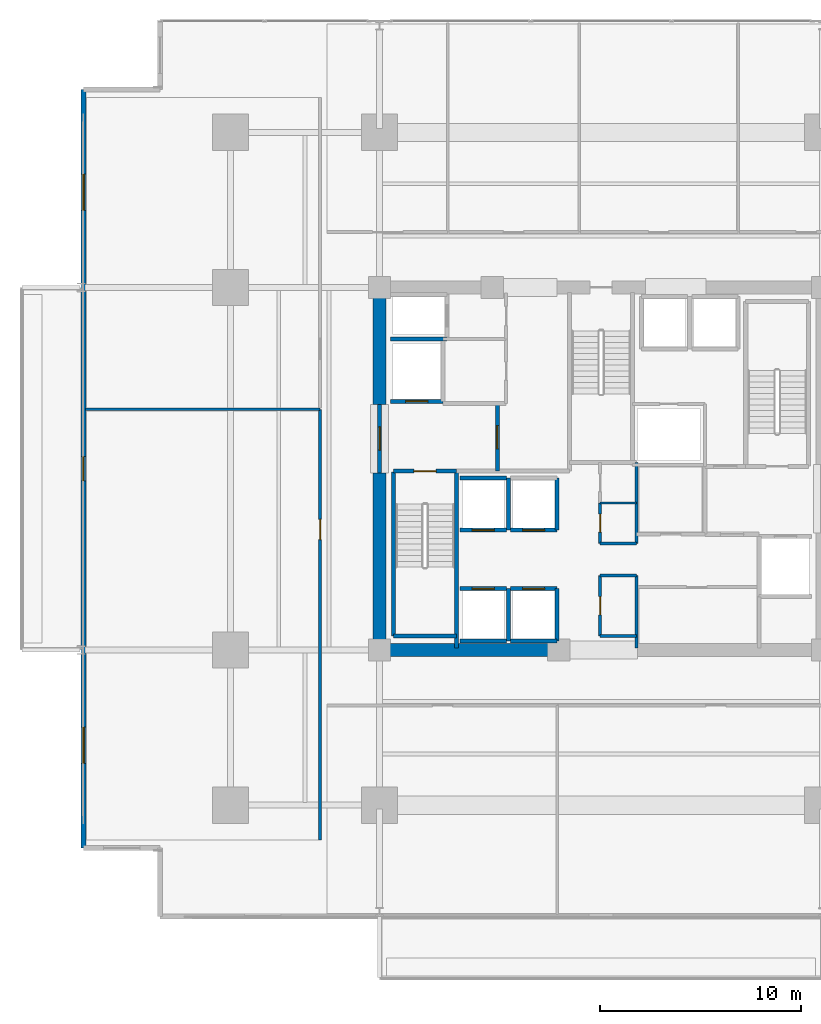
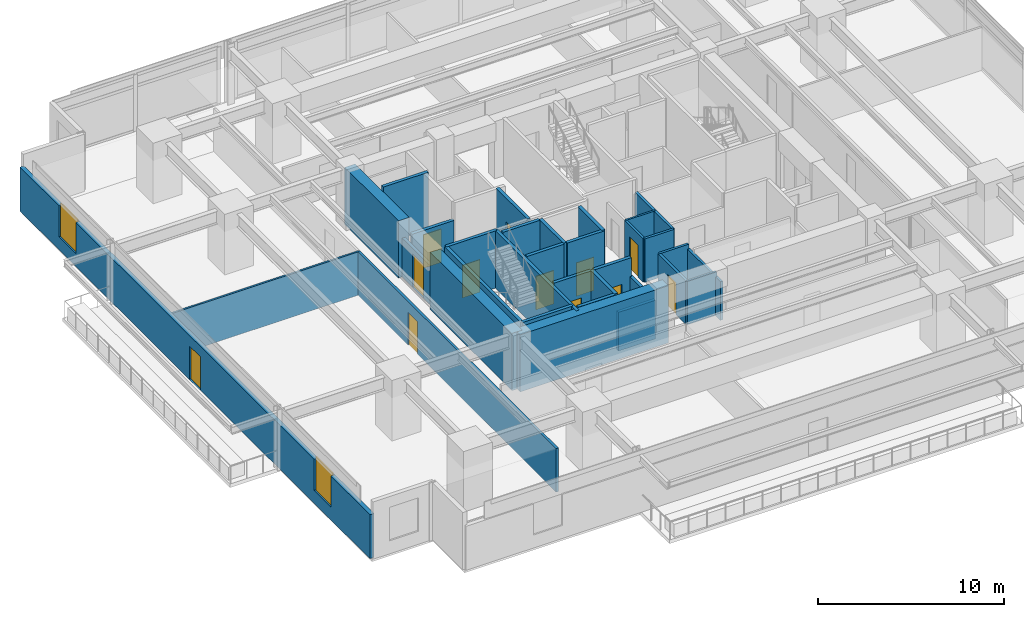
# One storey, part 15 of 23: 33 walls, 12 doors, 2 windows, 14 openings.
"""IFC4 building model written with IfcOpenShell, lengths in metres."""

from ifc_helpers import new_model, si_unit, direction, frame, frame_2d, origin, place, context, subcontext, project, spatial, rectangle, extrude, material, layer, layer_set, type_object, element, fill, save


model = new_model("IFC4")

# Units and contexts
model_context = context("Model", 3, precision=1e-05, world=origin(), true_north=direction((0.0, 1.0)))
body_context = subcontext(model_context, "Body", "Model", "MODEL_VIEW")
ifc_project = project(units=[si_unit("LENGTHUNIT", "METRE"), si_unit("AREAUNIT", "SQUARE_METRE"), si_unit("VOLUMEUNIT", "CUBIC_METRE"), si_unit("PLANEANGLEUNIT", "RADIAN"), si_unit("MASSUNIT", "GRAM", prefix="KILO")], contexts=[model_context])

# Site, building, storey
site_placement = place(None, origin())
site = spatial("IfcSite", under=ifc_project, at=site_placement, CompositionType="ELEMENT")
building_placement = place(site_placement, origin())
building = spatial("IfcBuilding", under=site, at=building_placement, Name="Kovane Verandah Tower", CompositionType="ELEMENT")
storey_placement = place(building_placement, frame((0.0, 0.0, 55.60009765625)))
storey = spatial("IfcBuildingStorey", under=building, at=storey_placement, Name="L12", CompositionType="ELEMENT", Elevation=55.60009765625)

# Walls
ifc_material_1 = material(Name="Fire-Rated Gypsum Stud Partition", Category="gypsum")
ifc_layer_1 = layer(ifc_material_1, 0.14990234375)
ifc_layer_set_1 = layer_set([ifc_layer_1], Name="Fire-Rated Gypsum Stud Partition")
wall_type_1 = type_object("IfcWallType", Name="WL-COR-150", PredefinedType="PARTITIONING", material=ifc_layer_set_1)
for number, where, z_axis, x_axis, name in (
    (1, (39.949951171875, 19.199951171875, 0.0), (0.0, 0.0, 1.0), (1.0, 0.0, 0.0), "L12 Central Core Strip South Wall"),
    (2, (39.949951171875, 22.199951171875, 0.0), (0.0, 0.0, 1.0), (1.0, 0.0, 0.0), "L12 Core Cross-Passage South Wall"),
    (3, (39.949951171875, 23.800048828125, 0.0), (0.0, 0.0, 1.0), (1.0, 0.0, 0.0), "L12 Core Cross-Passage North Wall"),
):
    element("IfcWall", number, at=place(storey_placement, frame(where, z_axis=z_axis, x_axis=x_axis)), inside=storey, type_object=wall_type_1, Name=name, PredefinedType="PARTITIONING", context=body_context, shape_type="SweptSolid", body=[
        extrude(rectangle(XDim=1.81005859375, YDim=0.14990234375, at=frame_2d((0.905029296875, 0.0))), origin(), (0.0, 0.0, 1.0), 2.849853515625),
    ])
wall_1_placement = place(storey_placement, frame((41.760009765625, 18.60009765625, 0.0), z_axis=(0.0, 0.0, 1.0), x_axis=(0.0, 1.0, 0.0)))
element("IfcWall", 4, at=wall_1_placement, inside=storey, type_object=wall_type_1, Name="L12 Central Core Strip Lower East Wall", PredefinedType="PARTITIONING", context=body_context, shape_type="SweptSolid", body=[
    extrude(rectangle(XDim=3.599853515625, YDim=0.14990234375, at=frame_2d((1.7998046875, 0.0))), origin(), (0.0, 0.0, 1.0), 2.539794921875),
])
wall_2_placement = place(storey_placement, frame((41.760009765625, 23.800048828125, 0.0), z_axis=(0.0, 0.0, 1.0), x_axis=(0.0, 1.0, 0.0)))
element("IfcWall", 5, at=wall_2_placement, inside=storey, type_object=wall_type_1, Name="L12 Central Core Strip Upper East Wall", PredefinedType="PARTITIONING", context=body_context, shape_type="SweptSolid", body=[
    extrude(rectangle(XDim=4.0, YDim=0.14990234375, at=frame_2d((2.0, 0.0))), origin(), (0.0, 0.0, 1.0), 2.849853515625),
])

# Wall, opening, door
wall_3_placement = place(storey_placement, frame((39.949951171875, 19.199951171875, 0.0), z_axis=(0.0, 0.0, 1.0), x_axis=(0.0, 1.0, 0.0)))
wall_3 = element("IfcWall", 6, at=wall_3_placement, inside=storey, type_object=wall_type_1, Name="L12 Male Toilet Partition", PredefinedType="PARTITIONING", context=body_context, shape_type="SweptSolid", body=[
    extrude(rectangle(XDim=3.0, YDim=0.14990234375, at=frame_2d((1.5, 0.0))), origin(), (0.0, 0.0, 1.0), 2.849853515625),
])
opening_1_placement = place(wall_3_placement, frame((1.050048828125, 0.0, 0.0)))
opening_1 = element("IfcOpeningElement", 7, at=opening_1_placement, cuts=wall_3, Name="Opening DR-L12-027", PredefinedType="OPENING", context=body_context, shape_type="SweptSolid", body=[
    extrude(rectangle(XDim=0.89990234375, YDim=2.10009765625, at=frame_2d((0.449951171875, 1.050048828125))), frame((0.0, 0.074951171875, 0.0), z_axis=(0.0, -1.0, 0.0), x_axis=(1.0, 0.0, 0.0)), (0.0, 0.0, 1.0), 0.14990234375),
])
ifc_material_2 = material(Name="Moisture-Resistant Laminate Washroom Door", Category="wood")
door_type_1 = type_object("IfcDoorType", Name="DR-WC-900", OperationType="SINGLE_SWING_LEFT", PredefinedType="DOOR", material=ifc_material_2)
door_1_placement = place(opening_1_placement, origin())
door_1 = element("IfcDoor", 8, at=door_1_placement, inside=storey, type_object=door_type_1, Name="L12 Male Toilet Door", OperationType="SINGLE_SWING_LEFT", OverallHeight=2.10009765625, OverallWidth=0.89990234375, PredefinedType="DOOR", context=body_context, shape_type="SweptSolid", body=[
    extrude(rectangle(XDim=0.89990234375, YDim=2.10009765625, at=frame_2d((0.449951171875, 1.050048828125))), frame((0.0, 0.02490234375, 0.0), z_axis=(0.0, -1.0, 0.0), x_axis=(1.0, 0.0, 0.0)), (0.0, 0.0, 1.0), 0.050048828125),
])
fill(opening_1, door_1)

wall_4_placement = place(storey_placement, frame((39.949951171875, 23.800048828125, 0.0), z_axis=(0.0, 0.0, 1.0), x_axis=(0.0, 1.0, 0.0)))
wall_4 = element("IfcWall", 9, at=wall_4_placement, inside=storey, type_object=wall_type_1, Name="L12 Female Toilet Partition", PredefinedType="PARTITIONING", context=body_context, shape_type="SweptSolid", body=[
    extrude(rectangle(XDim=2.0, YDim=0.14990234375, at=frame_2d((1.0, 0.0))), origin(), (0.0, 0.0, 1.0), 2.849853515625),
])
opening_2_placement = place(wall_4_placement, frame((0.550048828125, 0.0, 0.0)))
opening_2 = element("IfcOpeningElement", 10, at=opening_2_placement, cuts=wall_4, Name="Opening DR-L12-026", PredefinedType="OPENING", context=body_context, shape_type="SweptSolid", body=[
    extrude(rectangle(XDim=0.89990234375, YDim=2.10009765625, at=frame_2d((0.449951171875, 1.050048828125))), frame((0.0, 0.074951171875, 0.0), z_axis=(0.0, -1.0, 0.0), x_axis=(1.0, 0.0, 0.0)), (0.0, 0.0, 1.0), 0.14990234375),
])
door_2_placement = place(opening_2_placement, origin())
door_2 = element("IfcDoor", 11, at=door_2_placement, inside=storey, type_object=door_type_1, Name="L12 Female Toilet Door", OperationType="SINGLE_SWING_RIGHT", OverallHeight=2.10009765625, OverallWidth=0.89990234375, PredefinedType="DOOR", context=body_context, shape_type="SweptSolid", body=[
    extrude(rectangle(XDim=0.89990234375, YDim=2.10009765625, at=frame_2d((0.449951171875, 1.050048828125))), frame((0.0, 0.02490234375, 0.0), z_axis=(0.0, -1.0, 0.0), x_axis=(1.0, 0.0, 0.0)), (0.0, 0.0, 1.0), 0.050048828125),
])
fill(opening_2, door_2)

wall_5_placement = place(storey_placement, frame((26.050048828125, 9.07275390625, 0.0), z_axis=(0.0, 0.0, 1.0), x_axis=(0.0, 1.0, 0.0)))
wall_5 = element("IfcWall", 12, at=wall_5_placement, inside=storey, type_object=wall_type_1, Name="L12 Open Plan Office W1 Corridor Partition", PredefinedType="PARTITIONING", context=body_context, shape_type="SweptSolid", body=[
    extrude(rectangle(XDim=21.375732421875, YDim=0.14990234375, at=frame_2d((10.68798828125, 0.0))), origin(), (0.0, 0.0, 1.0), 2.849853515625),
])
opening_3_placement = place(wall_5_placement, frame((14.91650390625, 0.0, 0.0)))
opening_3 = element("IfcOpeningElement", 13, at=opening_3_placement, cuts=wall_5, Name="Opening DR-L12-028", PredefinedType="OPENING", context=body_context, shape_type="SweptSolid", body=[
    extrude(rectangle(XDim=1.0, YDim=2.14990234375, at=frame_2d((0.5, 1.074951171875))), frame((0.0, 0.074951171875, 0.0), z_axis=(0.0, -1.0, 0.0), x_axis=(1.0, 0.0, 0.0)), (0.0, 0.0, 1.0), 0.14990234375),
])
ifc_material_3 = material(Name="FSC Spotted-Gum Timber Fire-Rated Office Door", Category="wood")
door_type_2 = type_object("IfcDoorType", Name="DR-OFF-1000", OperationType="SINGLE_SWING_LEFT", PredefinedType="DOOR", material=ifc_material_3)
door_3_placement = place(opening_3_placement, origin())
door_3 = element("IfcDoor", 14, at=door_3_placement, inside=storey, type_object=door_type_2, Name="L12 Open Plan Office W1 Entrance Door", OperationType="SINGLE_SWING_LEFT", OverallHeight=2.14990234375, OverallWidth=1.0, PredefinedType="DOOR", context=body_context, shape_type="SweptSolid", body=[
    extrude(rectangle(XDim=1.0, YDim=2.14990234375, at=frame_2d((0.5, 1.074951171875))), frame((0.0, 0.02490234375, 0.0), z_axis=(0.0, -1.0, 0.0), x_axis=(1.0, 0.0, 0.0)), (0.0, 0.0, 1.0), 0.050048828125),
])
fill(opening_3, door_3)

# Walls
ifc_material_4 = material(Name="Concrete C80/95", Category="concrete")
ifc_layer_2 = layer(ifc_material_4, 0.64990234375)
ifc_layer_set_2 = layer_set([ifc_layer_2], Name="Concrete C80/95")
wall_type_2 = type_object("IfcWallType", Name="WL-CORE-650", PredefinedType="SHEAR", material=ifc_layer_set_2)
wall_6_placement = place(storey_placement, frame((29.0, 18.5, 0.0), z_axis=(0.0, 0.0, 1.0), x_axis=(1.0, 0.0, 0.0)))
element("IfcWall", 15, at=wall_6_placement, inside=storey, type_object=wall_type_2, Name="L12 Core Shear Wall CS-1", PredefinedType="SHEAR", context=body_context, shape_type="SweptSolid", body=[
    extrude(rectangle(XDim=9.199951171875, YDim=0.64990234375, at=frame_2d((4.60009765625, 0.0))), origin(), (0.0, 0.0, 1.0), 3.760009765625),
])
wall_7_placement = place(storey_placement, frame((29.0, 18.5, 0.0), z_axis=(0.0, 0.0, 1.0), x_axis=(0.0, 1.0, 0.0)))
element("IfcWall", 16, at=wall_7_placement, inside=storey, type_object=wall_type_2, Name="L12 Core Shear Wall CW-1", PredefinedType="SHEAR", context=body_context, shape_type="SweptSolid", body=[
    extrude(rectangle(XDim=8.800048828125, YDim=0.64990234375, at=frame_2d((4.39990234375, 0.0))), origin(), (0.0, 0.0, 1.0), 3.760009765625),
])
wall_8_placement = place(storey_placement, frame((29.0, 30.699951171875, 0.0), z_axis=(0.0, 0.0, 1.0), x_axis=(0.0, 1.0, 0.0)))
element("IfcWall", 17, at=wall_8_placement, inside=storey, type_object=wall_type_2, Name="L12 Core Shear Wall CW-2", PredefinedType="SHEAR", context=body_context, shape_type="SweptSolid", body=[
    extrude(rectangle(XDim=5.800048828125, YDim=0.64990234375, at=frame_2d((2.89990234375, 0.0))), origin(), (0.0, 0.0, 1.0), 3.760009765625),
])

# Wall, opening, door
ifc_material_5 = material(Name="Concrete C45/55 Fire Wall", Category="concrete")
ifc_layer_3 = layer(ifc_material_5, 0.199951171875)
ifc_layer_set_3 = layer_set([ifc_layer_3], Name="Concrete C45/55 Fire Wall")
wall_type_3 = type_object("IfcWallType", Name="WL-FFL-200", PredefinedType="PARTITIONING", material=ifc_layer_set_3)
wall_9_placement = place(storey_placement, frame((34.85009765625, 27.3798828125, 0.0), z_axis=(0.0, 0.0, 1.0), x_axis=(0.0, 1.0, 0.0)))
wall_9 = element("IfcWall", 18, at=wall_9_placement, inside=storey, type_object=wall_type_3, Name="W-L12-FFLW-E", PredefinedType="PARTITIONING", context=body_context, shape_type="SweptSolid", body=[
    extrude(rectangle(XDim=3.3701171875, YDim=0.199951171875, at=frame_2d((1.68505859375, 0.0))), origin(), (0.0, 0.0, 1.0), 3.760009765625),
])
opening_4_placement = place(wall_9_placement, frame((1.110107421875, 0.0, 0.0)))
opening_4 = element("IfcOpeningElement", 19, at=opening_4_placement, cuts=wall_9, Name="Opening DR-L12-006", PredefinedType="OPENING", context=body_context, shape_type="SweptSolid", body=[
    extrude(rectangle(XDim=1.14990234375, YDim=2.199951171875, at=frame_2d((0.574951171875, 1.10009765625))), frame((0.0, 0.10009765625, 0.0), z_axis=(0.0, -1.0, 0.0), x_axis=(1.0, 0.0, 0.0)), (0.0, 0.0, 1.0), 0.199951171875),
])
ifc_material_6 = material(Name="Smoke-Sealed Firefighting Lobby Door", Category="steel")
door_type_3 = type_object("IfcDoorType", Name="DR-FFL-1150", OperationType="SINGLE_SWING_LEFT", PredefinedType="DOOR", material=ifc_material_6)
door_4_placement = place(opening_4_placement, origin())
door_4 = element("IfcDoor", 20, at=door_4_placement, inside=storey, type_object=door_type_3, Name="L12 West Firefighting Lobby Inner Door", OperationType="SINGLE_SWING_LEFT", OverallHeight=2.199951171875, OverallWidth=1.14990234375, PredefinedType="DOOR", context=body_context, shape_type="SweptSolid", body=[
    extrude(rectangle(XDim=1.14990234375, YDim=2.199951171875, at=frame_2d((0.574951171875, 1.10009765625))), frame((0.0, 0.02490234375, 0.0), z_axis=(0.0, -1.0, 0.0), x_axis=(1.0, 0.0, 0.0)), (0.0, 0.0, 1.0), 0.050048828125),
])
fill(opening_4, door_4)

wall_10_placement = place(storey_placement, frame((29.0, 27.300048828125, 0.0), z_axis=(0.0, 0.0, 1.0), x_axis=(0.0, 1.0, 0.0)))
wall_10 = element("IfcWall", 21, at=wall_10_placement, inside=storey, type_object=wall_type_3, Name="W-L12-FFLW-OUT", PredefinedType="PARTITIONING", context=body_context, shape_type="SweptSolid", body=[
    extrude(rectangle(XDim=3.39990234375, YDim=0.199951171875, at=frame_2d((1.699951171875, 0.0))), origin(), (0.0, 0.0, 1.0), 2.539794921875),
])
opening_5_placement = place(wall_10_placement, frame((1.125, 0.0, 0.0)))
opening_5 = element("IfcOpeningElement", 22, at=opening_5_placement, cuts=wall_10, Name="Opening DR-L12-007", PredefinedType="OPENING", context=body_context, shape_type="SweptSolid", body=[
    extrude(rectangle(XDim=1.14990234375, YDim=2.199951171875, at=frame_2d((0.574951171875, 1.10009765625))), frame((0.0, 0.10009765625, 0.0), z_axis=(0.0, -1.0, 0.0), x_axis=(1.0, 0.0, 0.0)), (0.0, 0.0, 1.0), 0.199951171875),
])
door_5_placement = place(opening_5_placement, origin())
door_5 = element("IfcDoor", 23, at=door_5_placement, inside=storey, type_object=door_type_3, Name="L12 West Firefighting Lobby Corridor Door", OperationType="SINGLE_SWING_RIGHT", OverallHeight=2.199951171875, OverallWidth=1.14990234375, PredefinedType="DOOR", context=body_context, shape_type="SweptSolid", body=[
    extrude(rectangle(XDim=1.14990234375, YDim=2.199951171875, at=frame_2d((0.574951171875, 1.10009765625))), frame((0.0, 0.02490234375, 0.0), z_axis=(0.0, -1.0, 0.0), x_axis=(1.0, 0.0, 0.0)), (0.0, 0.0, 1.0), 0.050048828125),
])
fill(opening_5, door_5)

ifc_material_7 = material(Name="Concrete C45/55 Lift Shaft Wall", Category="concrete")
ifc_layer_4 = layer(ifc_material_7, 0.199951171875)
ifc_layer_set_4 = layer_set([ifc_layer_4], Name="Concrete C45/55 Lift Shaft Wall")
wall_type_4 = type_object("IfcWallType", Name="WL-LIFT-200", PredefinedType="SOLIDWALL", material=ifc_layer_set_4)
wall_11_placement = place(storey_placement, frame((29.550048828125, 30.85009765625, 0.0), z_axis=(0.0, 0.0, 1.0), x_axis=(1.0, 0.0, 0.0)))
wall_11 = element("IfcWall", 24, at=wall_11_placement, inside=storey, type_object=wall_type_4, Name="L12 Lift FL-01 S Shaft Wall", PredefinedType="SOLIDWALL", context=body_context, shape_type="SweptSolid", body=[
    extrude(rectangle(XDim=2.599853515625, YDim=0.199951171875, at=frame_2d((1.2998046875, 0.0))), origin(), (0.0, 0.0, 1.0), 2.539794921875),
])
opening_6_placement = place(wall_11_placement, frame((0.75, 0.0, 0.0)))
opening_6 = element("IfcOpeningElement", 25, at=opening_6_placement, cuts=wall_11, Name="Opening LD-L12-001", PredefinedType="OPENING", context=body_context, shape_type="SweptSolid", body=[
    extrude(rectangle(XDim=1.10009765625, YDim=2.199951171875, at=frame_2d((0.550048828125, 1.10009765625))), frame((0.0, 0.10009765625, 0.0), z_axis=(0.0, -1.0, 0.0), x_axis=(1.0, 0.0, 0.0)), (0.0, 0.0, 1.0), 0.199951171875),
])
ifc_material_8 = material(Name="Brushed Stainless Steel Sliding Lift Landing Door", Category="steel")
door_type_4 = type_object("IfcDoorType", Name="DR-LIFT-1100", OperationType="SLIDING_TO_RIGHT", PredefinedType="DOOR", material=ifc_material_8)
door_6_placement = place(opening_6_placement, origin())
door_6 = element("IfcDoor", 26, at=door_6_placement, inside=storey, type_object=door_type_4, Name="L12 Lift FL-01 Sliding Landing Door", OperationType="SLIDING_TO_RIGHT", OverallHeight=2.199951171875, OverallWidth=1.10009765625, PredefinedType="DOOR", context=body_context, shape_type="SweptSolid", body=[
    extrude(rectangle(XDim=1.10009765625, YDim=2.199951171875, at=frame_2d((0.550048828125, 1.10009765625))), frame((0.0, 0.02490234375, 0.0), z_axis=(0.0, -1.0, 0.0), x_axis=(1.0, 0.0, 0.0)), (0.0, 0.0, 1.0), 0.050048828125),
])
fill(opening_6, door_6)

# Walls
wall_12_placement = place(storey_placement, frame((29.550048828125, 33.949951171875, 0.0), z_axis=(0.0, 0.0, 1.0), x_axis=(1.0, 0.0, 0.0)))
element("IfcWall", 27, at=wall_12_placement, inside=storey, type_object=wall_type_4, Name="L12 Lift FL-01 and GL-01 Shared Shaft Wall", PredefinedType="SOLIDWALL", context=body_context, shape_type="SweptSolid", body=[
    extrude(rectangle(XDim=2.800048828125, YDim=0.199951171875, at=frame_2d((1.39990234375, 0.0))), origin(), (0.0, 0.0, 1.0), 3.760009765625),
])
wall_13_placement = place(storey_placement, frame((33.0, 18.949951171875, 0.0), z_axis=(0.0, 0.0, 1.0), x_axis=(1.0, 0.0, 0.0)))
element("IfcWall", 28, at=wall_13_placement, inside=storey, type_object=wall_type_4, Name="L12 Lift PL-L1 S Shaft Wall", PredefinedType="SOLIDWALL", context=body_context, shape_type="SweptSolid", body=[
    extrude(rectangle(XDim=2.300048828125, YDim=0.199951171875, at=frame_2d((1.14990234375, 0.0))), origin(), (0.0, 0.0, 1.0), 3.760009765625),
])

# Wall, opening, door
wall_14_placement = place(storey_placement, frame((35.300048828125, 21.550048828125, 0.0), z_axis=(0.0, 0.0, 1.0), x_axis=(-1.0, 0.0, 0.0)))
wall_14 = element("IfcWall", 29, at=wall_14_placement, inside=storey, type_object=wall_type_4, Name="L12 Lift PL-L1 N Shaft Wall", PredefinedType="SOLIDWALL", context=body_context, shape_type="SweptSolid", body=[
    extrude(rectangle(XDim=2.300048828125, YDim=0.199951171875, at=frame_2d((1.14990234375, 0.0))), origin(), (0.0, 0.0, 1.0), 3.760009765625),
])
opening_7_placement = place(wall_14_placement, frame((0.60009765625, 0.0, 0.0)))
opening_7 = element("IfcOpeningElement", 30, at=opening_7_placement, cuts=wall_14, Name="Opening LD-L12-004", PredefinedType="OPENING", context=body_context, shape_type="SweptSolid", body=[
    extrude(rectangle(XDim=1.10009765625, YDim=2.199951171875, at=frame_2d((0.550048828125, 1.10009765625))), frame((0.0, 0.10009765625, 0.0), z_axis=(0.0, -1.0, 0.0), x_axis=(1.0, 0.0, 0.0)), (0.0, 0.0, 1.0), 0.199951171875),
])
door_7_placement = place(opening_7_placement, origin())
door_7 = element("IfcDoor", 31, at=door_7_placement, inside=storey, type_object=door_type_4, Name="L12 Lift PL-L1 Sliding Landing Door", OperationType="SLIDING_TO_RIGHT", OverallHeight=2.199951171875, OverallWidth=1.10009765625, PredefinedType="DOOR", context=body_context, shape_type="SweptSolid", body=[
    extrude(rectangle(XDim=1.10009765625, YDim=2.199951171875, at=frame_2d((0.550048828125, 1.10009765625))), frame((0.0, 0.02490234375, 0.0), z_axis=(0.0, -1.0, 0.0), x_axis=(1.0, 0.0, 0.0)), (0.0, 0.0, 1.0), 0.050048828125),
])
fill(opening_7, door_7)

# Walls
wall_15_placement = place(storey_placement, frame((35.39990234375, 18.949951171875, 0.0), z_axis=(0.0, 0.0, 1.0), x_axis=(0.0, 1.0, 0.0)))
element("IfcWall", 32, at=wall_15_placement, inside=storey, type_object=wall_type_4, Name="L12 Lift PL-L1 and PL-L2 Shared Shaft Wall", PredefinedType="SOLIDWALL", context=body_context, shape_type="SweptSolid", body=[
    extrude(rectangle(XDim=2.60009765625, YDim=0.199951171875, at=frame_2d((1.300048828125, 0.0))), origin(), (0.0, 0.0, 1.0), 3.760009765625),
])
wall_16_placement = place(storey_placement, frame((35.5, 18.949951171875, 0.0), z_axis=(0.0, 0.0, 1.0), x_axis=(1.0, 0.0, 0.0)))
element("IfcWall", 33, at=wall_16_placement, inside=storey, type_object=wall_type_4, Name="L12 Lift PL-L2 S Shaft Wall", PredefinedType="SOLIDWALL", context=body_context, shape_type="SweptSolid", body=[
    extrude(rectangle(XDim=2.300048828125, YDim=0.199951171875, at=frame_2d((1.14990234375, 0.0))), origin(), (0.0, 0.0, 1.0), 2.539794921875),
])

# Wall, opening, door
wall_17_placement = place(storey_placement, frame((37.800048828125, 21.550048828125, 0.0), z_axis=(0.0, 0.0, 1.0), x_axis=(-1.0, 0.0, 0.0)))
wall_17 = element("IfcWall", 34, at=wall_17_placement, inside=storey, type_object=wall_type_4, Name="L12 Lift PL-L2 N Shaft Wall", PredefinedType="SOLIDWALL", context=body_context, shape_type="SweptSolid", body=[
    extrude(rectangle(XDim=2.300048828125, YDim=0.199951171875, at=frame_2d((1.14990234375, 0.0))), origin(), (0.0, 0.0, 1.0), 3.760009765625),
])
opening_8_placement = place(wall_17_placement, frame((0.60009765625, 0.0, 0.0)))
opening_8 = element("IfcOpeningElement", 35, at=opening_8_placement, cuts=wall_17, Name="Opening LD-L12-005", PredefinedType="OPENING", context=body_context, shape_type="SweptSolid", body=[
    extrude(rectangle(XDim=1.10009765625, YDim=2.199951171875, at=frame_2d((0.550048828125, 1.10009765625))), frame((0.0, 0.10009765625, 0.0), z_axis=(0.0, -1.0, 0.0), x_axis=(1.0, 0.0, 0.0)), (0.0, 0.0, 1.0), 0.199951171875),
])
door_8_placement = place(opening_8_placement, origin())
door_8 = element("IfcDoor", 36, at=door_8_placement, inside=storey, type_object=door_type_4, Name="L12 Lift PL-L2 Sliding Landing Door", OperationType="SLIDING_TO_RIGHT", OverallHeight=2.199951171875, OverallWidth=1.10009765625, PredefinedType="DOOR", context=body_context, shape_type="SweptSolid", body=[
    extrude(rectangle(XDim=1.10009765625, YDim=2.199951171875, at=frame_2d((0.550048828125, 1.10009765625))), frame((0.0, 0.02490234375, 0.0), z_axis=(0.0, -1.0, 0.0), x_axis=(1.0, 0.0, 0.0)), (0.0, 0.0, 1.0), 0.050048828125),
])
fill(opening_8, door_8)

# Wall
wall_18_placement = place(storey_placement, frame((37.800048828125, 18.949951171875, 0.0), z_axis=(0.0, 0.0, 1.0), x_axis=(0.0, 1.0, 0.0)))
element("IfcWall", 37, at=wall_18_placement, inside=storey, type_object=wall_type_4, Name="L12 Lift PL-L2 E Shaft Wall", PredefinedType="SOLIDWALL", context=body_context, shape_type="SweptSolid", body=[
    extrude(rectangle(XDim=2.60009765625, YDim=0.199951171875, at=frame_2d((1.300048828125, 0.0))), origin(), (0.0, 0.0, 1.0), 2.539794921875),
])

# Wall, opening, door
wall_19_placement = place(storey_placement, frame((33.0, 24.449951171875, 0.0), z_axis=(0.0, 0.0, 1.0), x_axis=(1.0, 0.0, 0.0)))
wall_19 = element("IfcWall", 38, at=wall_19_placement, inside=storey, type_object=wall_type_4, Name="L12 Lift PL-L3 S Shaft Wall", PredefinedType="SOLIDWALL", context=body_context, shape_type="SweptSolid", body=[
    extrude(rectangle(XDim=2.300048828125, YDim=0.199951171875, at=frame_2d((1.14990234375, 0.0))), origin(), (0.0, 0.0, 1.0), 3.760009765625),
])
opening_9_placement = place(wall_19_placement, frame((0.60009765625, 0.0, 0.0)))
opening_9 = element("IfcOpeningElement", 39, at=opening_9_placement, cuts=wall_19, Name="Opening LD-L12-006", PredefinedType="OPENING", context=body_context, shape_type="SweptSolid", body=[
    extrude(rectangle(XDim=1.10009765625, YDim=2.199951171875, at=frame_2d((0.550048828125, 1.10009765625))), frame((0.0, 0.10009765625, 0.0), z_axis=(0.0, -1.0, 0.0), x_axis=(1.0, 0.0, 0.0)), (0.0, 0.0, 1.0), 0.199951171875),
])
door_9_placement = place(opening_9_placement, origin())
door_9 = element("IfcDoor", 40, at=door_9_placement, inside=storey, type_object=door_type_4, Name="L12 Lift PL-L3 Sliding Landing Door", OperationType="SLIDING_TO_RIGHT", OverallHeight=2.199951171875, OverallWidth=1.10009765625, PredefinedType="DOOR", context=body_context, shape_type="SweptSolid", body=[
    extrude(rectangle(XDim=1.10009765625, YDim=2.199951171875, at=frame_2d((0.550048828125, 1.10009765625))), frame((0.0, 0.02490234375, 0.0), z_axis=(0.0, -1.0, 0.0), x_axis=(1.0, 0.0, 0.0)), (0.0, 0.0, 1.0), 0.050048828125),
])
fill(opening_9, door_9)

# Walls
wall_20_placement = place(storey_placement, frame((35.300048828125, 27.050048828125, 0.0), z_axis=(0.0, 0.0, 1.0), x_axis=(-1.0, 0.0, 0.0)))
element("IfcWall", 41, at=wall_20_placement, inside=storey, type_object=wall_type_4, Name="L12 Lift PL-L3 N Shaft Wall", PredefinedType="SOLIDWALL", context=body_context, shape_type="SweptSolid", body=[
    extrude(rectangle(XDim=2.300048828125, YDim=0.199951171875, at=frame_2d((1.14990234375, 0.0))), origin(), (0.0, 0.0, 1.0), 3.760009765625),
])
wall_21_placement = place(storey_placement, frame((35.39990234375, 24.449951171875, 0.0), z_axis=(0.0, 0.0, 1.0), x_axis=(0.0, 1.0, 0.0)))
element("IfcWall", 42, at=wall_21_placement, inside=storey, type_object=wall_type_4, Name="L12 Lift PL-L3 and PL-L4 Shared Shaft Wall", PredefinedType="SOLIDWALL", context=body_context, shape_type="SweptSolid", body=[
    extrude(rectangle(XDim=2.60009765625, YDim=0.199951171875, at=frame_2d((1.300048828125, 0.0))), origin(), (0.0, 0.0, 1.0), 3.760009765625),
])

# Wall, opening, door
wall_22_placement = place(storey_placement, frame((35.5, 24.449951171875, 0.0), z_axis=(0.0, 0.0, 1.0), x_axis=(1.0, 0.0, 0.0)))
wall_22 = element("IfcWall", 43, at=wall_22_placement, inside=storey, type_object=wall_type_4, Name="L12 Lift PL-L4 S Shaft Wall", PredefinedType="SOLIDWALL", context=body_context, shape_type="SweptSolid", body=[
    extrude(rectangle(XDim=2.300048828125, YDim=0.199951171875, at=frame_2d((1.14990234375, 0.0))), origin(), (0.0, 0.0, 1.0), 3.760009765625),
])
opening_10_placement = place(wall_22_placement, frame((0.60009765625, 0.0, 0.0)))
opening_10 = element("IfcOpeningElement", 44, at=opening_10_placement, cuts=wall_22, Name="Opening LD-L12-007", PredefinedType="OPENING", context=body_context, shape_type="SweptSolid", body=[
    extrude(rectangle(XDim=1.10009765625, YDim=2.199951171875, at=frame_2d((0.550048828125, 1.10009765625))), frame((0.0, 0.10009765625, 0.0), z_axis=(0.0, -1.0, 0.0), x_axis=(1.0, 0.0, 0.0)), (0.0, 0.0, 1.0), 0.199951171875),
])
door_10_placement = place(opening_10_placement, origin())
door_10 = element("IfcDoor", 45, at=door_10_placement, inside=storey, type_object=door_type_4, Name="L12 Lift PL-L4 Sliding Landing Door", OperationType="SLIDING_TO_RIGHT", OverallHeight=2.199951171875, OverallWidth=1.10009765625, PredefinedType="DOOR", context=body_context, shape_type="SweptSolid", body=[
    extrude(rectangle(XDim=1.10009765625, YDim=2.199951171875, at=frame_2d((0.550048828125, 1.10009765625))), frame((0.0, 0.02490234375, 0.0), z_axis=(0.0, -1.0, 0.0), x_axis=(1.0, 0.0, 0.0)), (0.0, 0.0, 1.0), 0.050048828125),
])
fill(opening_10, door_10)

# Walls
wall_23_placement = place(storey_placement, frame((37.800048828125, 24.449951171875, 0.0), z_axis=(0.0, 0.0, 1.0), x_axis=(0.0, 1.0, 0.0)))
element("IfcWall", 46, at=wall_23_placement, inside=storey, type_object=wall_type_4, Name="L12 Lift PL-L4 E Shaft Wall", PredefinedType="SOLIDWALL", context=body_context, shape_type="SweptSolid", body=[
    extrude(rectangle(XDim=2.60009765625, YDim=0.199951171875, at=frame_2d((1.300048828125, 0.0))), origin(), (0.0, 0.0, 1.0), 3.760009765625),
])
ifc_material_9 = material(Name="Acoustic Fire-Rated Gypsum Partition", Category="gypsum")
ifc_layer_5 = layer(ifc_material_9, 0.1201171875)
ifc_layer_set_5 = layer_set([ifc_layer_5], Name="Acoustic Fire-Rated Gypsum Partition")
wall_type_5 = type_object("IfcWallType", Name="WL-PART-120", PredefinedType="PARTITIONING", material=ifc_layer_set_5)
wall_24_placement = place(storey_placement, frame((39.949951171875, 25.800048828125, 0.0), z_axis=(0.0, 0.0, 1.0), x_axis=(1.0, 0.0, 0.0)))
element("IfcWall", 47, at=wall_24_placement, inside=storey, type_object=wall_type_5, Name="L12 Central Core Strip Upper Dividing Partition", PredefinedType="PARTITIONING", context=body_context, shape_type="SweptSolid", body=[
    extrude(rectangle(XDim=1.81005859375, YDim=0.1201171875, at=frame_2d((0.905029296875, 0.0))), origin(), (0.0, 0.0, 1.0), 2.849853515625),
])
wall_25_placement = place(storey_placement, frame((14.404052734375, 30.448486328125, 0.0), z_axis=(0.0, 0.0, 1.0), x_axis=(1.0, 0.0, 0.0)))
element("IfcWall", 48, at=wall_25_placement, inside=storey, type_object=wall_type_5, Name="L12 Open Plan Office W1 Dividing Partition", PredefinedType="PARTITIONING", context=body_context, shape_type="SweptSolid", body=[
    extrude(rectangle(XDim=11.64599609375, YDim=0.1201171875, at=frame_2d((5.822998046875, 0.0))), origin(), (0.0, 0.0, 1.0), 2.849853515625),
])
ifc_material_10 = material(Name="Concrete C45/55", Category="concrete")
ifc_layer_6 = layer(ifc_material_10, 0.199951171875)
ifc_layer_set_6 = layer_set([ifc_layer_6], Name="Concrete C45/55")
wall_type_6 = type_object("IfcWallType", Name="WL-SHAFT-200", PredefinedType="SOLIDWALL", material=ifc_layer_set_6)
wall_26_placement = place(storey_placement, frame((29.699951171875, 19.199951171875, 0.0), z_axis=(0.0, 0.0, 1.0), x_axis=(0.0, 1.0, 0.0)))
element("IfcWall", 49, at=wall_26_placement, inside=storey, type_object=wall_type_6, Name="W-L12-ST01-W", PredefinedType="SOLIDWALL", context=body_context, shape_type="SweptSolid", body=[
    extrude(rectangle(XDim=8.150146484375, YDim=0.199951171875, at=frame_2d((4.0751953125, 0.0))), origin(), (0.0, 0.0, 1.0), 3.760009765625),
])
wall_27_placement = place(storey_placement, frame((29.699951171875, 19.199951171875, 0.0), z_axis=(0.0, 0.0, 1.0), x_axis=(1.0, 0.0, 0.0)))
element("IfcWall", 50, at=wall_27_placement, inside=storey, type_object=wall_type_6, Name="W-L12-ST01-S", PredefinedType="SOLIDWALL", context=body_context, shape_type="SweptSolid", body=[
    extrude(rectangle(XDim=3.1201171875, YDim=0.199951171875, at=frame_2d((1.56005859375, 0.0))), origin(), (0.0, 0.0, 1.0), 3.760009765625),
])
wall_28_placement = place(storey_placement, frame((32.820068359375, 18.60009765625, 0.0), z_axis=(0.0, 0.0, 1.0), x_axis=(0.0, 1.0, 0.0)))
element("IfcWall", 51, at=wall_28_placement, inside=storey, type_object=wall_type_6, Name="W-L12-ST01-E", PredefinedType="SOLIDWALL", context=body_context, shape_type="SweptSolid", body=[
    extrude(rectangle(XDim=8.77978515625, YDim=0.199951171875, at=frame_2d((4.389892578125, 0.0))), origin(), (0.0, 0.0, 1.0), 3.760009765625),
])

# Wall, opening, door
wall_29_placement = place(storey_placement, frame((29.699951171875, 27.3798828125, 0.0), z_axis=(0.0, 0.0, 1.0), x_axis=(1.0, 0.0, 0.0)))
wall_29 = element("IfcWall", 52, at=wall_29_placement, inside=storey, type_object=wall_type_6, Name="W-L12-ST01-N", PredefinedType="SOLIDWALL", context=body_context, shape_type="SweptSolid", body=[
    extrude(rectangle(XDim=3.1201171875, YDim=0.199951171875, at=frame_2d((1.56005859375, 0.0))), origin(), (0.0, 0.0, 1.0), 3.760009765625),
])
opening_11_placement = place(wall_29_placement, frame((1.010009765625, 0.0, 0.0)))
opening_11 = element("IfcOpeningElement", 53, at=opening_11_placement, cuts=wall_29, Name="Opening DR-L12-009", PredefinedType="OPENING", context=body_context, shape_type="SweptSolid", body=[
    extrude(rectangle(XDim=1.10009765625, YDim=2.14990234375, at=frame_2d((0.550048828125, 1.074951171875))), frame((0.0, 0.10009765625, 0.0), z_axis=(0.0, -1.0, 0.0), x_axis=(1.0, 0.0, 0.0)), (0.0, 0.0, 1.0), 0.199951171875),
])
ifc_material_11 = material(Name="Fire-Rated Steel Exit Door", Category="steel")
door_type_5 = type_object("IfcDoorType", Name="DR-STAIR-1100", OperationType="SINGLE_SWING_LEFT", PredefinedType="DOOR", material=ifc_material_11)
door_11_placement = place(opening_11_placement, origin())
door_11 = element("IfcDoor", 54, at=door_11_placement, inside=storey, type_object=door_type_5, Name="L12 ST-01 Fire Exit Stair Door", OperationType="SINGLE_SWING_RIGHT", OverallHeight=2.14990234375, OverallWidth=1.10009765625, PredefinedType="DOOR", context=body_context, shape_type="SweptSolid", body=[
    extrude(rectangle(XDim=1.10009765625, YDim=2.14990234375, at=frame_2d((0.550048828125, 1.074951171875))), frame((0.0, 0.02490234375, 0.0), z_axis=(0.0, -1.0, 0.0), x_axis=(1.0, 0.0, 0.0)), (0.0, 0.0, 1.0), 0.050048828125),
])
fill(opening_11, door_11)

# Wall, openings, door, windows
ifc_material_12 = material(Name="Concrete C45/55 Insulated Spandrel Wall", Category="concrete")
ifc_layer_7 = layer(ifc_material_12, 0.260009765625)
ifc_layer_set_7 = layer_set([ifc_layer_7], Name="Concrete C45/55 Insulated Spandrel Wall")
wall_type_7 = type_object("IfcWallType", Name="WL-SPANDREL-260", PredefinedType="PARAPET", material=ifc_layer_set_7)
wall_30_placement = place(storey_placement, frame((14.303955078125, 46.3271484375, 0.0), z_axis=(0.0, 0.0, 1.0), x_axis=(0.0, -1.0, 0.0)))
wall_30 = element("IfcWall", 55, at=wall_30_placement, inside=storey, type_object=wall_type_7, Name="L12 W Verandah Access Facade Wall", PredefinedType="PARAPET", context=body_context, shape_type="SweptSolid", body=[
    extrude(rectangle(XDim=37.654296875, YDim=0.260009765625, at=frame_2d((18.8271484375, 0.0))), origin(), (0.0, 0.0, 1.0), 2.88916015625),
])
opening_12_placement = place(wall_30_placement, frame((4.199951171875, 0.0, 0.85009765625)))
opening_12 = element("IfcOpeningElement", 56, at=opening_12_placement, cuts=wall_30, Name="Opening W-03", PredefinedType="OPENING", context=body_context, shape_type="SweptSolid", body=[
    extrude(rectangle(XDim=1.800048828125, YDim=2.199951171875, at=frame_2d((0.89990234375, 1.10009765625))), frame((0.0, 0.1298828125, 0.0), z_axis=(0.0, -1.0, 0.0), x_axis=(1.0, 0.0, 0.0)), (0.0, 0.0, 1.0), 0.260009765625),
])
opening_13_placement = place(wall_30_placement, frame((18.227294921875, 0.0, 0.0)))
opening_13 = element("IfcOpeningElement", 57, at=opening_13_placement, cuts=wall_30, Name="Opening DR-L12-002", PredefinedType="OPENING", context=body_context, shape_type="SweptSolid", body=[
    extrude(rectangle(XDim=1.199951171875, YDim=2.199951171875, at=frame_2d((0.60009765625, 1.10009765625))), frame((0.0, 0.1298828125, 0.0), z_axis=(0.0, -1.0, 0.0), x_axis=(1.0, 0.0, 0.0)), (0.0, 0.0, 1.0), 0.260009765625),
])
opening_14_placement = place(wall_30_placement, frame((31.654296875, 0.0, 0.85009765625)))
opening_14 = element("IfcOpeningElement", 58, at=opening_14_placement, cuts=wall_30, Name="Opening W-03", PredefinedType="OPENING", context=body_context, shape_type="SweptSolid", body=[
    extrude(rectangle(XDim=1.800048828125, YDim=2.199951171875, at=frame_2d((0.89990234375, 1.10009765625))), frame((0.0, 0.1298828125, 0.0), z_axis=(0.0, -1.0, 0.0), x_axis=(1.0, 0.0, 0.0)), (0.0, 0.0, 1.0), 0.260009765625),
])
ifc_material_13 = material(Name="Cyclone-Rated Glazed Balcony Leaf Door", Category="aluminium")
door_type_6 = type_object("IfcDoorType", Name="DR-BAL-1200x2200", OperationType="SINGLE_SWING_LEFT", PredefinedType="DOOR", material=ifc_material_13)
door_12_placement = place(opening_13_placement, origin())
door_12 = element("IfcDoor", 59, at=door_12_placement, inside=storey, type_object=door_type_6, Name="L12 W Planted Balcony Access Door", OperationType="SINGLE_SWING_LEFT", OverallHeight=2.199951171875, OverallWidth=1.199951171875, PredefinedType="DOOR", context=body_context, shape_type="SweptSolid", body=[
    extrude(rectangle(XDim=1.199951171875, YDim=2.199951171875, at=frame_2d((0.60009765625, 1.10009765625))), frame((0.0, 0.02490234375, 0.0), z_axis=(0.0, -1.0, 0.0), x_axis=(1.0, 0.0, 0.0)), (0.0, 0.0, 1.0), 0.050048828125),
])
fill(opening_13, door_12)
ifc_material_14 = material(Name="Clear Low-E Laminated Double Glazing in Anodised Frame", Category="glass")
window_type = type_object("IfcWindowType", Name="WN-NOTCH-1800x2200", PartitioningType="SINGLE_PANEL", PredefinedType="WINDOW", material=ifc_material_14)
window_1_placement = place(opening_12_placement, origin())
window_1 = element("IfcWindow", 60, at=window_1_placement, inside=storey, type_object=window_type, Name="L12 W Verandah View Window 1", OverallHeight=2.199951171875, OverallWidth=1.800048828125, PartitioningType="SINGLE_PANEL", PredefinedType="WINDOW", context=body_context, shape_type="SweptSolid", body=[
    extrude(rectangle(XDim=1.800048828125, YDim=2.199951171875, at=frame_2d((0.89990234375, 1.10009765625))), frame((0.0, 0.030029296875, 0.0), z_axis=(0.0, -1.0, 0.0), x_axis=(1.0, 0.0, 0.0)), (0.0, 0.0, 1.0), 0.06005859375),
])
fill(opening_12, window_1)
window_2_placement = place(opening_14_placement, origin())
window_2 = element("IfcWindow", 61, at=window_2_placement, inside=storey, type_object=window_type, Name="L12 W Verandah View Window 2", OverallHeight=2.199951171875, OverallWidth=1.800048828125, PartitioningType="SINGLE_PANEL", PredefinedType="WINDOW", context=body_context, shape_type="SweptSolid", body=[
    extrude(rectangle(XDim=1.800048828125, YDim=2.199951171875, at=frame_2d((0.89990234375, 1.10009765625))), frame((0.0, 0.030029296875, 0.0), z_axis=(0.0, -1.0, 0.0), x_axis=(1.0, 0.0, 0.0)), (0.0, 0.0, 1.0), 0.06005859375),
])
fill(opening_14, window_2)

save(model, "model.ifc")
